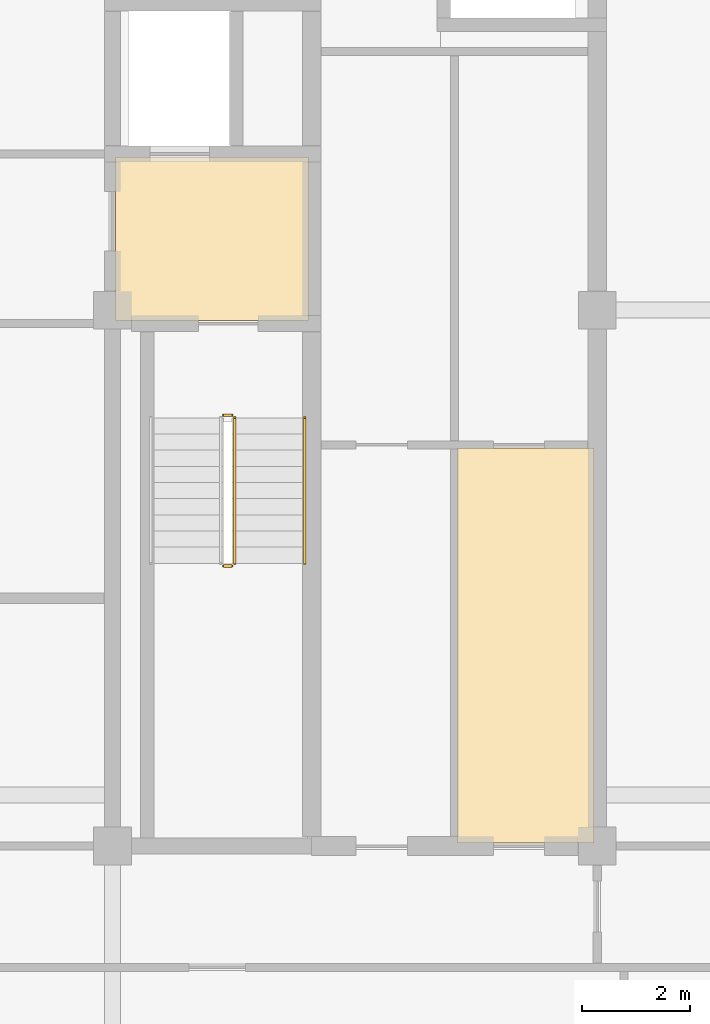
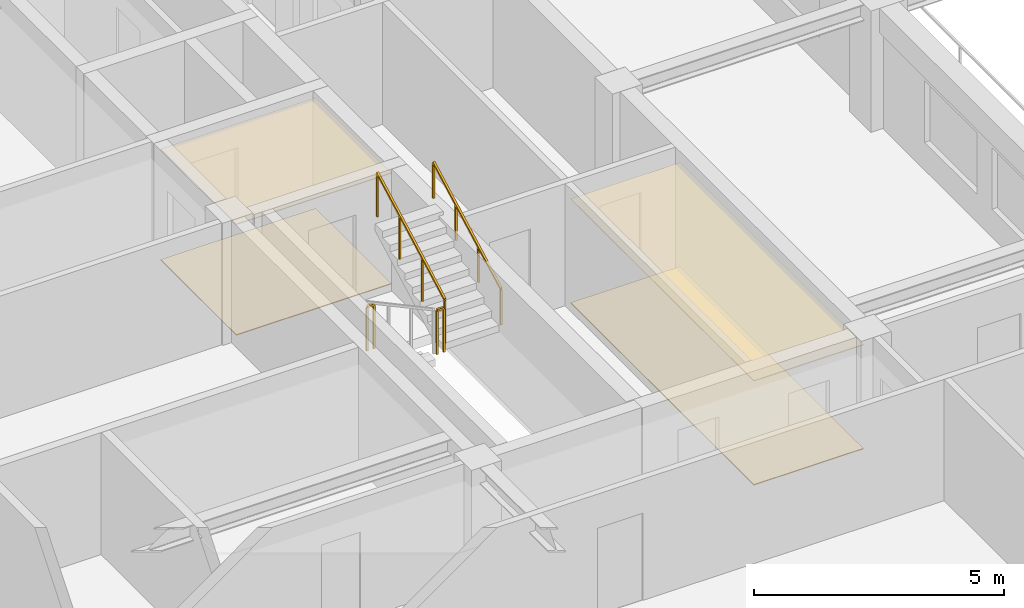
# One storey, part 10 of 11: 4 coverings, 4 railings.
"""IFC4 building model written with IfcOpenShell, lengths in metres."""

from ifc_helpers import new_model, si_unit, direction, frame, origin, origin_2d, place, context, subcontext, project, spatial, polyline, rectangle, outline, extrude, material, layer, layer_set, type_object, element, save


model = new_model("IFC4")

# Units and contexts
model_context = context("Model", 3, precision=1e-05, world=origin(), true_north=direction((0.0, 1.0)))
body_context = subcontext(model_context, "Body", "Model", "MODEL_VIEW")
ifc_project = project(units=[si_unit("LENGTHUNIT", "METRE"), si_unit("AREAUNIT", "SQUARE_METRE"), si_unit("VOLUMEUNIT", "CUBIC_METRE"), si_unit("PLANEANGLEUNIT", "RADIAN"), si_unit("MASSUNIT", "GRAM", prefix="KILO")], contexts=[model_context])

# Site, building, storey
site_placement = place(None, origin())
site = spatial("IfcSite", under=ifc_project, at=site_placement, CompositionType="ELEMENT")
building_placement = place(site_placement, origin())
building = spatial("IfcBuilding", under=site, at=building_placement, Name="Zulmaris Gate Convention Tower", CompositionType="ELEMENT")
storey_placement = place(building_placement, frame((0.0, 0.0, 230.050048828125)))
storey = spatial("IfcBuildingStorey", under=building, at=storey_placement, Name="L60", CompositionType="ELEMENT", Elevation=230.050048828125)

# Coverings
ifc_material_1 = material(Name="Mineral Fibre Acoustic Ceiling Tile")
ifc_layer_1 = layer(ifc_material_1, 0.02001953125, Name="Mineral Fibre Acoustic Ceiling Tile")
ifc_layer_set_1 = layer_set([ifc_layer_1], Name="Mineral Fibre Acoustic Ceiling Tile")
covering_type_1 = type_object("IfcCoveringType", Name="CLG-ACOUSTIC-600", PredefinedType="CEILING", material=ifc_layer_set_1)
covering_1_placement = place(storey_placement, frame((0.0, 0.0, 2.699951171875)))
element("IfcCovering", 1, at=covering_1_placement, inside=storey, type_object=covering_type_1, Name="CLG-L60-R08", PredefinedType="CEILING", context=body_context, shape_type="SweptSolid", body=[
    extrude(outline(polyline([(11.06005859375, -0.18994140625), (14.639892578125, -0.18994140625), (14.639892578125, 2.840087890625), (11.06005859375, 2.840087890625), (11.06005859375, -0.18994140625)])), origin(), (0.0, 0.0, 1.0), 0.02001953125),
])
covering_2_placement = place(storey_placement, frame((0.0, 0.0, 2.537841796875)))
element("IfcCovering", 2, at=covering_2_placement, inside=storey, type_object=covering_type_1, Name="CLG-L60-R27", PredefinedType="CEILING", context=body_context, shape_type="SweptSolid", body=[
    extrude(outline(polyline([(17.409912109375, -9.889892578125), (19.93994140625, -9.889892578125), (19.93994140625, -2.56005859375), (17.409912109375, -2.56005859375), (17.409912109375, -9.889892578125)])), origin(), (0.0, 0.0, 1.0), 0.02001953125),
])
ifc_material_2 = material(Name="Woven Acoustic Wool Carpet Tile")
ifc_layer_2 = layer(ifc_material_2, 0.02001953125, Name="Woven Acoustic Wool Carpet Tile")
ifc_layer_set_2 = layer_set([ifc_layer_2], Name="Woven Acoustic Wool Carpet Tile")
covering_type_2 = type_object("IfcCoveringType", Name="FLR-CARPET-12", PredefinedType="FLOORING", material=ifc_layer_set_2)
covering_3_placement = place(storey_placement, origin())
element("IfcCovering", 3, at=covering_3_placement, inside=storey, type_object=covering_type_2, Name="FLR-L60-R08", PredefinedType="FLOORING", context=body_context, shape_type="SweptSolid", body=[
    extrude(outline(polyline([(11.06005859375, -0.18994140625), (14.639892578125, -0.18994140625), (14.639892578125, 2.840087890625), (11.06005859375, 2.840087890625), (11.06005859375, -0.18994140625)])), origin(), (0.0, 0.0, 1.0), 0.02001953125),
])
covering_4_placement = place(storey_placement, origin())
element("IfcCovering", 4, at=covering_4_placement, inside=storey, type_object=covering_type_2, Name="FLR-L60-R27", PredefinedType="FLOORING", context=body_context, shape_type="SweptSolid", body=[
    extrude(outline(polyline([(17.409912109375, -9.889892578125), (19.93994140625, -9.889892578125), (19.93994140625, -2.56005859375), (17.409912109375, -2.56005859375), (17.409912109375, -9.889892578125)])), origin(), (0.0, 0.0, 1.0), 0.02001953125),
])

# Railings
ifc_material_3 = material(Name="Painted Galvanised Steel", Category="steel")
railing_type_1 = type_object("IfcRailingType", Name="RL-STG-1150", PredefinedType="GUARDRAIL", material=ifc_material_3)
railing_1_placement = place(storey_placement, frame((13.06005859375, -4.75, 1.614990234375)))
element("IfcRailing", 5, at=railing_1_placement, inside=storey, type_object=railing_type_1, Name="L60 ST-2 stair guard 2", PredefinedType="GUARDRAIL", context=body_context, shape_type="SweptSolid", body=[
    extrude(rectangle(XDim=0.048095703125, YDim=0.048095703125, at=origin_2d()), frame((0.0, 0.0, 1.076171875), z_axis=(1.0, 0.0, 0.0), x_axis=(0.0, 1.0, 0.0)), (0.0, 0.0, 1.0), 0.159912109375),
    extrude(rectangle(XDim=0.0419921875, YDim=0.0419921875, at=origin_2d()), origin(), (0.0, 0.0, 1.0), 1.052001953125),
    extrude(rectangle(XDim=0.0419921875, YDim=0.0419921875, at=origin_2d()), frame((0.159912109375, 0.0, 0.0)), (0.0, 0.0, 1.0), 1.052001953125),
])
railing_2_placement = place(storey_placement, frame((13.27001953125, -4.699951171875, 1.7763671875)))
element("IfcRailing", 6, at=railing_2_placement, inside=storey, type_object=railing_type_1, Name="L60 ST-2 stair guard 3", PredefinedType="GUARDRAIL", context=body_context, shape_type="SweptSolid", body=[
    extrude(rectangle(XDim=0.048095703125, YDim=0.048095703125, at=origin_2d()), frame((0.0, 0.0, 1.076171875), z_axis=(0.0, 0.880499220447, 0.474047595492), x_axis=(-1.0, 0.0, 0.0)), (0.0, 0.0, 1.0), 3.06640625),
    extrude(rectangle(XDim=0.0419921875, YDim=0.0419921875, at=origin_2d()), origin(), (0.0, 0.0, 1.0), 1.052001953125),
    extrude(rectangle(XDim=0.0419921875, YDim=0.0419921875, at=origin_2d()), frame((0.0, 0.89990234375, 0.484619140625)), (0.0, 0.0, 1.0), 1.052001953125),
    extrude(rectangle(XDim=0.0419921875, YDim=0.0419921875, at=origin_2d()), frame((0.0, 1.800048828125, 0.968994140625)), (0.0, 0.0, 1.0), 1.052001953125),
    extrude(rectangle(XDim=0.0419921875, YDim=0.0419921875, at=origin_2d()), frame((0.0, 2.699951171875, 1.45361328125)), (0.0, 0.0, 1.0), 1.052001953125),
])
railing_3_placement = place(storey_placement, frame((13.06005859375, -1.949951171875, 0.0)))
element("IfcRailing", 7, at=railing_3_placement, inside=storey, type_object=railing_type_1, Name="L60 ST-2 stair guard 4", PredefinedType="GUARDRAIL", context=body_context, shape_type="SweptSolid", body=[
    extrude(rectangle(XDim=0.048095703125, YDim=0.048095703125, at=origin_2d()), frame((0.0, 0.0, 1.076171875), z_axis=(1.0, 0.0, 0.0), x_axis=(0.0, 1.0, 0.0)), (0.0, 0.0, 1.0), 0.159912109375),
    extrude(rectangle(XDim=0.0419921875, YDim=0.0419921875, at=origin_2d()), origin(), (0.0, 0.0, 1.0), 1.052001953125),
    extrude(rectangle(XDim=0.0419921875, YDim=0.0419921875, at=origin_2d()), frame((0.159912109375, 0.0, 0.0)), (0.0, 0.0, 1.0), 1.052001953125),
])
ifc_material_4 = material(Name="Brushed Stainless Steel", Category="steel")
railing_type_2 = type_object("IfcRailingType", Name="RL-STH-900", PredefinedType="HANDRAIL", material=ifc_material_4)
railing_4_placement = place(storey_placement, frame((14.570068359375, -4.699951171875, 1.7763671875)))
element("IfcRailing", 8, at=railing_4_placement, inside=storey, type_object=railing_type_2, Name="L60 ST-2 stair handrail 2", PredefinedType="HANDRAIL", context=body_context, shape_type="SweptSolid", body=[
    extrude(rectangle(XDim=0.048095703125, YDim=0.048095703125, at=origin_2d()), frame((0.0, 0.0, 0.8759765625), z_axis=(0.0, 0.880499220447, 0.474047595492), x_axis=(-1.0, 0.0, 0.0)), (0.0, 0.0, 1.0), 3.06640625),
    extrude(rectangle(XDim=0.0419921875, YDim=0.0419921875, at=origin_2d()), origin(), (0.0, 0.0, 1.0), 0.851806640625),
    extrude(rectangle(XDim=0.0419921875, YDim=0.0419921875, at=origin_2d()), frame((0.0, 0.89990234375, 0.484619140625)), (0.0, 0.0, 1.0), 0.851806640625),
    extrude(rectangle(XDim=0.0419921875, YDim=0.0419921875, at=origin_2d()), frame((0.0, 1.800048828125, 0.968994140625)), (0.0, 0.0, 1.0), 0.851806640625),
    extrude(rectangle(XDim=0.0419921875, YDim=0.0419921875, at=origin_2d()), frame((0.0, 2.699951171875, 1.45361328125)), (0.0, 0.0, 1.0), 0.851806640625),
])

save(model, "model.ifc")
